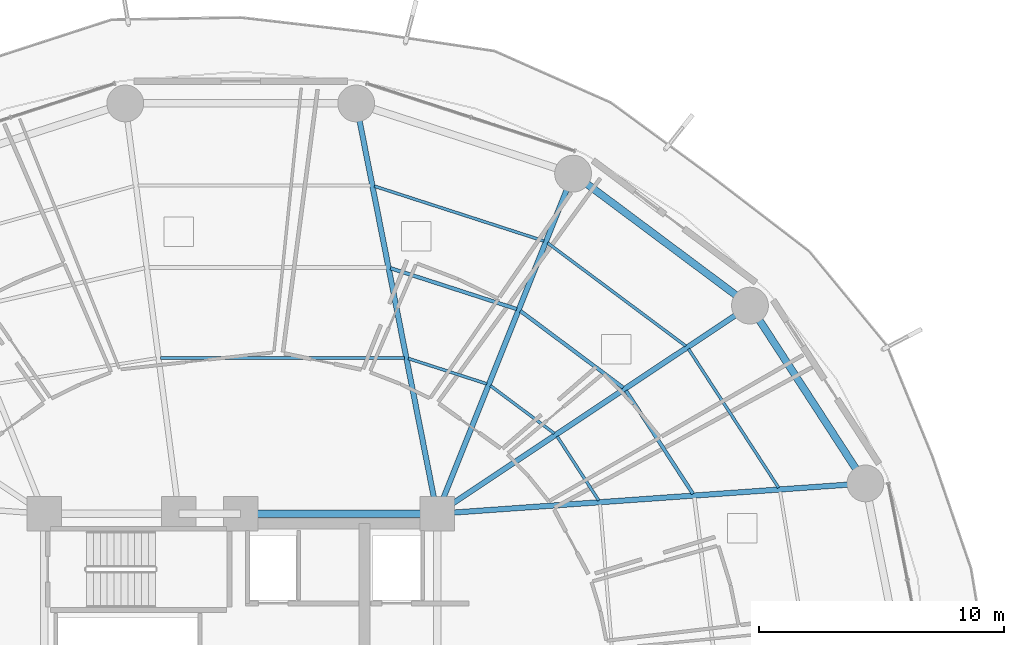
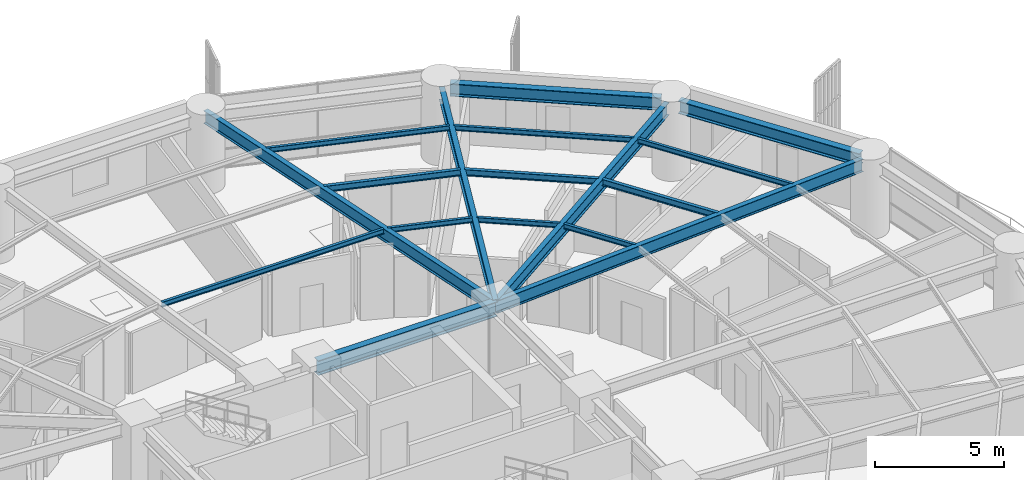
# One storey, part 19 of 32: 17 beams.
"""IFC4 building model written with IfcOpenShell, lengths in metres."""

from ifc_helpers import new_model, si_unit, direction, frame, origin, origin_2d, place, context, subcontext, project, spatial, i_section, extrude, material, material_profile, profile_set, type_object, element, save


model = new_model("IFC4")

# Units and contexts
model_context = context("Model", 3, precision=1e-05, world=origin(), true_north=direction((0.0, 1.0)))
body_context = subcontext(model_context, "Body", "Model", "MODEL_VIEW")
ifc_project = project(units=[si_unit("LENGTHUNIT", "METRE"), si_unit("AREAUNIT", "SQUARE_METRE"), si_unit("VOLUMEUNIT", "CUBIC_METRE"), si_unit("PLANEANGLEUNIT", "RADIAN"), si_unit("MASSUNIT", "GRAM", prefix="KILO")], contexts=[model_context])

# Site, building, storey
site_placement = place(None, origin())
site = spatial("IfcSite", under=ifc_project, at=site_placement, CompositionType="ELEMENT")
building_placement = place(site_placement, origin())
building = spatial("IfcBuilding", under=site, at=building_placement, Name="Kelanora Arch Commons", CompositionType="ELEMENT")
storey_placement = place(building_placement, frame((0.0, 0.0, 52.5)))
storey = spatial("IfcBuildingStorey", under=building, at=storey_placement, Name="L13", CompositionType="ELEMENT", Elevation=52.5)

# Beams
ifc_material = material(Name="Steel S355", Category="steel")
ifc_material_profile_1 = material_profile(ifc_material, i_section(OverallWidth=0.300048828125, OverallDepth=0.699951171875, WebThickness=0.01708984375, FlangeThickness=0.031982421875, FilletRadius=0.027099609375, at=origin_2d()), Name="HEB700")
ifc_profile_set_1 = profile_set([ifc_material_profile_1], Name="Steel S355")
beam_type_1 = type_object("IfcBeamType", Name="BM-CORE-HDR", PredefinedType="BEAM", material=ifc_profile_set_1)
beam_1_placement = place(storey_placement, frame((82.0, 65.0, 3.139892578125), z_axis=(-1.0, 0.0, 0.0), x_axis=(0.0, -1.0, 0.0)))
element("IfcBeam", 1, at=beam_1_placement, inside=storey, type_object=beam_type_1, Name="Core Header Beam 05 L13", PredefinedType="BEAM", context=body_context, shape_type="SweptSolid", body=[
    extrude(i_section(OverallWidth=0.300048828125, OverallDepth=0.699951171875, WebThickness=0.01708984375, FlangeThickness=0.031982421875, FilletRadius=0.027099609375, at=origin_2d()), origin(), (0.0, 0.0, 1.0), 8.0),
])
ifc_material_profile_2 = material_profile(ifc_material, i_section(OverallWidth=0.14990234375, OverallDepth=0.300048828125, WebThickness=0.007080078125, FlangeThickness=0.0107421875, FilletRadius=0.014892578125, at=origin_2d()), Name="IPE300")
ifc_profile_set_2 = profile_set([ifc_material_profile_2], Name="Steel S355")
beam_type_2 = type_object("IfcBeamType", Name="BM-JST-01", PredefinedType="JOIST", material=ifc_profile_set_2)
beam_2_placement = place(storey_placement, frame((92.421875, 65.812744140625, 3.340087890625), z_axis=(-0.544551588245, 0.838727350061, 0.0), x_axis=(-0.838727350061, -0.544551588245, 0.0)))
element("IfcBeam", 2, at=beam_2_placement, inside=storey, type_object=beam_type_2, Name="Secondary Chord Joist BJB-02 L13", PredefinedType="JOIST", context=body_context, shape_type="SweptSolid", body=[
    extrude(i_section(OverallWidth=0.14990234375, OverallDepth=0.300048828125, WebThickness=0.007080078125, FlangeThickness=0.0107421875, FilletRadius=0.014892578125, at=origin_2d()), origin(), (0.0, 0.0, 1.0), 5.010986328125),
])
beam_3_placement = place(storey_placement, frame((89.57861328125, 70.1376953125, 3.340087890625), z_axis=(-0.801478251559, 0.598023922831, 0.0), x_axis=(-0.598023922831, -0.801478251559, 0.0)))
element("IfcBeam", 3, at=beam_3_placement, inside=storey, type_object=beam_type_2, Name="Secondary Chord Joist BJB-04 L13", PredefinedType="JOIST", context=body_context, shape_type="SweptSolid", body=[
    extrude(i_section(OverallWidth=0.14990234375, OverallDepth=0.300048828125, WebThickness=0.007080078125, FlangeThickness=0.0107421875, FilletRadius=0.014892578125, at=origin_2d()), origin(), (0.0, 0.0, 1.0), 5.223388671875),
])
beam_4_placement = place(storey_placement, frame((85.2431640625, 73.33837890625, 3.340087890625), z_axis=(-0.951412209627, 0.307920131482, 0.0), x_axis=(-0.307920131482, -0.951412209627, 0.0)))
element("IfcBeam", 4, at=beam_4_placement, inside=storey, type_object=beam_type_2, Name="Secondary Chord Joist BJB-06 L13", PredefinedType="JOIST", context=body_context, shape_type="SweptSolid", body=[
    extrude(i_section(OverallWidth=0.14990234375, OverallDepth=0.300048828125, WebThickness=0.007080078125, FlangeThickness=0.0107421875, FilletRadius=0.014892578125, at=origin_2d()), origin(), (0.0, 0.0, 1.0), 5.4033203125),
])
ifc_material_profile_3 = material_profile(ifc_material, i_section(OverallWidth=0.1201171875, OverallDepth=0.239990234375, WebThickness=0.006103515625, FlangeThickness=0.009765625, FilletRadius=0.014892578125, at=origin_2d()), Name="IPE240")
ifc_profile_set_3 = profile_set([ifc_material_profile_3], Name="Steel S355")
beam_type_3 = type_object("IfcBeamType", Name="BM-JST-02", PredefinedType="JOIST", material=ifc_profile_set_3)
beam_5_placement = place(storey_placement, frame((88.58349609375, 65.541015625, 3.3701171875), z_axis=(-0.544591105858, 0.838701691557, 0.0), x_axis=(-0.838701691557, -0.544591105858, 0.0)))
element("IfcBeam", 5, at=beam_5_placement, inside=storey, type_object=beam_type_3, Name="Secondary Chord Joist BJA-02 L13", PredefinedType="JOIST", context=body_context, shape_type="SweptSolid", body=[
    extrude(i_section(OverallWidth=0.1201171875, OverallDepth=0.239990234375, WebThickness=0.006103515625, FlangeThickness=0.009765625, FilletRadius=0.014892578125, at=origin_2d()), origin(), (0.0, 0.0, 1.0), 3.111328125),
])
beam_6_placement = place(storey_placement, frame((95.9111328125, 66.059814453125, 3.3701171875), z_axis=(-0.544550165372, 0.838728273873, 0.0), x_axis=(-0.838728273873, -0.544550165372, 0.0)))
element("IfcBeam", 6, at=beam_6_placement, inside=storey, type_object=beam_type_3, Name="Secondary Chord Joist BJC-02 L13", PredefinedType="JOIST", context=body_context, shape_type="SweptSolid", body=[
    extrude(i_section(OverallWidth=0.1201171875, OverallDepth=0.239990234375, WebThickness=0.006103515625, FlangeThickness=0.009765625, FilletRadius=0.014892578125, at=origin_2d()), origin(), (0.0, 0.0, 1.0), 6.738037109375),
])
beam_7_placement = place(storey_placement, frame((86.77490234375, 68.272705078125, 3.3701171875), z_axis=(-0.801513822608, 0.59797624716, 0.0), x_axis=(-0.59797624716, -0.801513822608, 0.0)))
element("IfcBeam", 7, at=beam_7_placement, inside=storey, type_object=beam_type_3, Name="Secondary Chord Joist BJA-04 L13", PredefinedType="JOIST", context=body_context, shape_type="SweptSolid", body=[
    extrude(i_section(OverallWidth=0.1201171875, OverallDepth=0.239990234375, WebThickness=0.006103515625, FlangeThickness=0.009765625, FilletRadius=0.014892578125, at=origin_2d()), origin(), (0.0, 0.0, 1.0), 3.245849609375),
])
beam_8_placement = place(storey_placement, frame((92.12744140625, 71.83349609375, 3.3701171875), z_axis=(-0.80149131963, 0.598006408459, 0.0), x_axis=(-0.598006408459, -0.80149131963, 0.0)))
element("IfcBeam", 8, at=beam_8_placement, inside=storey, type_object=beam_type_3, Name="Secondary Chord Joist BJC-04 L13", PredefinedType="JOIST", context=body_context, shape_type="SweptSolid", body=[
    extrude(i_section(OverallWidth=0.1201171875, OverallDepth=0.239990234375, WebThickness=0.006103515625, FlangeThickness=0.009765625, FilletRadius=0.014892578125, at=origin_2d()), origin(), (0.0, 0.0, 1.0), 7.021240234375),
])
beam_9_placement = place(storey_placement, frame((84.0244140625, 70.290771484375, 3.3701171875), z_axis=(-0.951422608074, 0.30788800049, 0.0), x_axis=(-0.30788800049, -0.951422608074, 0.0)))
element("IfcBeam", 9, at=beam_9_placement, inside=storey, type_object=beam_type_3, Name="Secondary Chord Joist BJA-06 L13", PredefinedType="JOIST", context=body_context, shape_type="SweptSolid", body=[
    extrude(i_section(OverallWidth=0.1201171875, OverallDepth=0.239990234375, WebThickness=0.006103515625, FlangeThickness=0.009765625, FilletRadius=0.014892578125, at=origin_2d()), origin(), (0.0, 0.0, 1.0), 3.359619140625),
])
beam_10_placement = place(storey_placement, frame((86.35107421875, 76.109375, 3.3701171875), z_axis=(-0.951410915705, 0.307924129418, 0.0), x_axis=(-0.307924129418, -0.951410915705, 0.0)))
element("IfcBeam", 10, at=beam_10_placement, inside=storey, type_object=beam_type_3, Name="Secondary Chord Joist BJC-06 L13", PredefinedType="JOIST", context=body_context, shape_type="SweptSolid", body=[
    extrude(i_section(OverallWidth=0.1201171875, OverallDepth=0.239990234375, WebThickness=0.006103515625, FlangeThickness=0.009765625, FilletRadius=0.014892578125, at=origin_2d()), origin(), (0.0, 0.0, 1.0), 7.260986328125),
])
beam_11_placement = place(storey_placement, frame((80.661865234375, 71.351318359375, 3.3701171875), z_axis=(-1.0, 0.0, 0.0), x_axis=(0.0, -1.0, 0.0)))
element("IfcBeam", 11, at=beam_11_placement, inside=storey, type_object=beam_type_3, Name="Secondary Chord Joist BJA-08 L13", PredefinedType="JOIST", context=body_context, shape_type="SweptSolid", body=[
    extrude(i_section(OverallWidth=0.1201171875, OverallDepth=0.239990234375, WebThickness=0.006103515625, FlangeThickness=0.009765625, FilletRadius=0.014892578125, at=origin_2d()), origin(), (0.0, 0.0, 1.0), 9.92626953125),
])
ifc_material_profile_4 = material_profile(ifc_material, i_section(OverallWidth=0.219970703125, OverallDepth=0.60009765625, WebThickness=0.011962890625, FlangeThickness=0.01904296875, FilletRadius=0.02392578125, at=origin_2d()), Name="IPE600")
ifc_profile_set_4 = profile_set([ifc_material_profile_4], Name="Steel S355")
beam_type_4 = type_object("IfcBeamType", Name="BM-RAD-Z1", PredefinedType="BEAM", material=ifc_profile_set_4)
beam_12_placement = place(storey_placement, frame((82.0, 65.0, 3.18994140625), z_axis=(0.997500678462, 0.070656892572, 0.0), x_axis=(-0.070656892572, 0.997500678462, 0.0)))
element("IfcBeam", 12, at=beam_12_placement, inside=storey, type_object=beam_type_4, Name="Radial Floor Girder BR-02 L13", PredefinedType="BEAM", context=body_context, shape_type="SweptSolid", body=[
    extrude(i_section(OverallWidth=0.219970703125, OverallDepth=0.60009765625, WebThickness=0.011962890625, FlangeThickness=0.01904296875, FilletRadius=0.02392578125, at=origin_2d()), origin(), (0.0, 0.0, 1.0), 17.110595703125),
])
beam_13_placement = place(storey_placement, frame((82.0, 65.0, 3.18994140625), z_axis=(0.832590897434, 0.553888434173, 0.0), x_axis=(-0.553888434173, 0.832590897434, 0.0)))
element("IfcBeam", 13, at=beam_13_placement, inside=storey, type_object=beam_type_4, Name="Radial Floor Girder BR-04 L13", PredefinedType="BEAM", context=body_context, shape_type="SweptSolid", body=[
    extrude(i_section(OverallWidth=0.219970703125, OverallDepth=0.60009765625, WebThickness=0.011962890625, FlangeThickness=0.01904296875, FilletRadius=0.02392578125, at=origin_2d()), origin(), (0.0, 0.0, 1.0), 14.9267578125),
])
beam_14_placement = place(storey_placement, frame((82.0, 65.0, 3.18994140625), z_axis=(0.37129803903, 0.928513740454, 0.0), x_axis=(-0.928513740454, 0.37129803903, 0.0)))
element("IfcBeam", 14, at=beam_14_placement, inside=storey, type_object=beam_type_4, Name="Radial Floor Girder BR-06 L13", PredefinedType="BEAM", context=body_context, shape_type="SweptSolid", body=[
    extrude(i_section(OverallWidth=0.219970703125, OverallDepth=0.60009765625, WebThickness=0.011962890625, FlangeThickness=0.01904296875, FilletRadius=0.02392578125, at=origin_2d()), origin(), (0.0, 0.0, 1.0), 14.540771484375),
])
beam_15_placement = place(storey_placement, frame((82.0, 65.0, 3.18994140625), z_axis=(-0.19356352044, 0.981087745084, 0.0), x_axis=(-0.981087745084, -0.19356352044, 0.0)))
element("IfcBeam", 15, at=beam_15_placement, inside=storey, type_object=beam_type_4, Name="Radial Floor Girder BR-08 L13", PredefinedType="BEAM", context=body_context, shape_type="SweptSolid", body=[
    extrude(i_section(OverallWidth=0.219970703125, OverallDepth=0.60009765625, WebThickness=0.011962890625, FlangeThickness=0.01904296875, FilletRadius=0.02392578125, at=origin_2d()), origin(), (0.0, 0.0, 1.0), 17.036376953125),
])
ifc_material_profile_5 = material_profile(ifc_material, i_section(OverallWidth=0.300048828125, OverallDepth=0.60009765625, WebThickness=0.015380859375, FlangeThickness=0.030029296875, FilletRadius=0.027099609375, at=origin_2d()), Name="HEB600")
ifc_profile_set_5 = profile_set([ifc_material_profile_5], Name="Steel S355")
beam_type_5 = type_object("IfcBeamType", Name="BM-SPN-Z1", PredefinedType="SPANDREL", material=ifc_profile_set_5)
beam_16_placement = place(storey_placement, frame((99.239990234375, 66.554443359375, 3.18994140625), z_axis=(-0.54455786519, 0.838723274662, 0.0), x_axis=(-0.838723274662, -0.54455786519, 0.0)))
element("IfcBeam", 16, at=beam_16_placement, inside=storey, type_object=beam_type_5, Name="Perimeter Spandrel Beam BS-02 L13", PredefinedType="SPANDREL", context=body_context, shape_type="SweptSolid", body=[
    extrude(i_section(OverallWidth=0.300048828125, OverallDepth=0.60009765625, WebThickness=0.015380859375, FlangeThickness=0.030029296875, FilletRadius=0.027099609375, at=origin_2d()), origin(), (0.0, 0.0, 1.0), 7.875244140625),
])
beam_17_placement = place(storey_placement, frame((94.43994140625, 73.70556640625, 3.18994140625), z_axis=(-0.801482139897, 0.598018711601, 0.0), x_axis=(-0.598018711601, -0.801482139897, 0.0)))
element("IfcBeam", 17, at=beam_17_placement, inside=storey, type_object=beam_type_5, Name="Perimeter Spandrel Beam BS-04 L13", PredefinedType="SPANDREL", context=body_context, shape_type="SweptSolid", body=[
    extrude(i_section(OverallWidth=0.300048828125, OverallDepth=0.60009765625, WebThickness=0.015380859375, FlangeThickness=0.030029296875, FilletRadius=0.027099609375, at=origin_2d()), origin(), (0.0, 0.0, 1.0), 8.22900390625),
])

save(model, "model.ifc")
